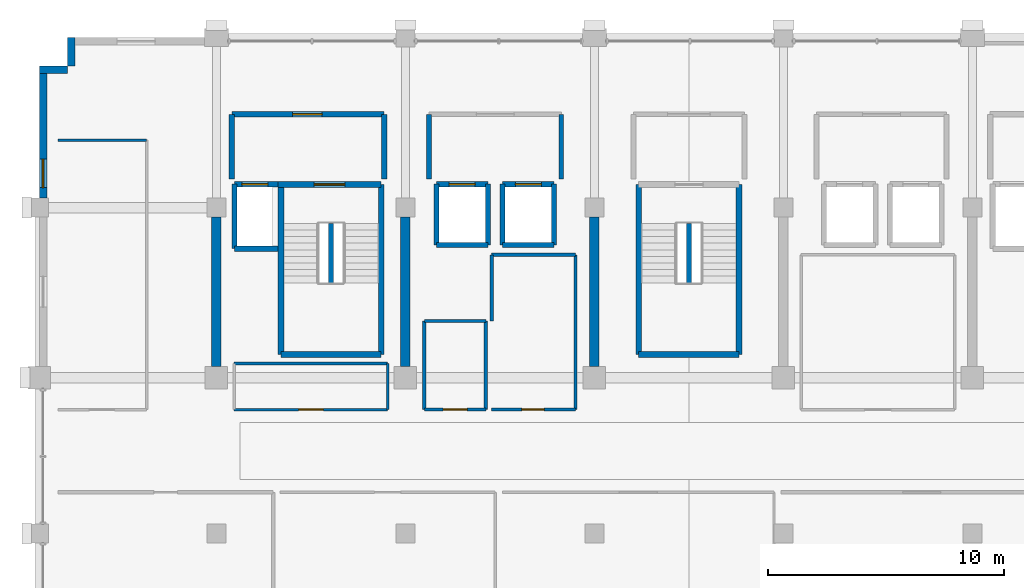
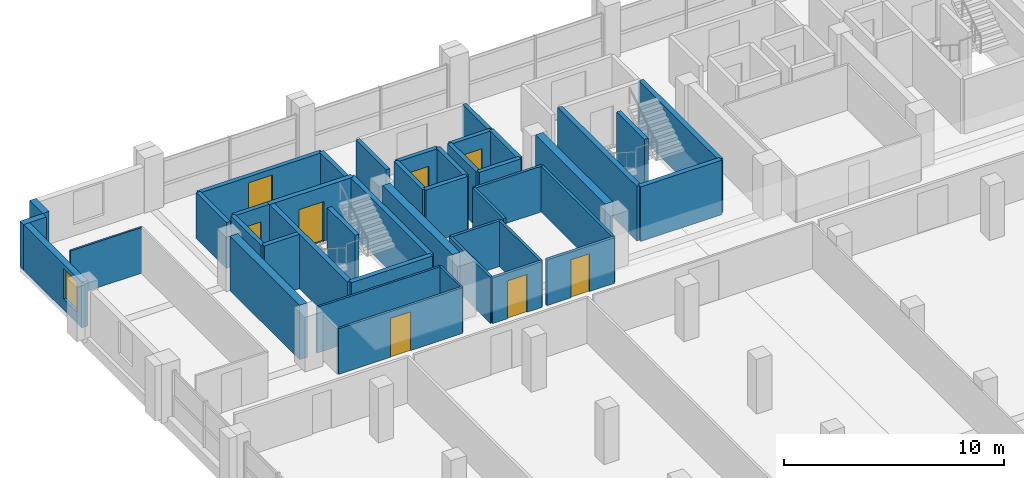
# One storey, part 20 of 23: 43 walls, 8 doors, 1 window, 9 openings.
"""IFC4 building model written with IfcOpenShell, lengths in metres."""

from ifc_helpers import new_model, si_unit, direction, frame, frame_2d, origin, place, context, subcontext, project, spatial, rectangle, extrude, material, layer, layer_set, type_object, element, fill, save


model = new_model("IFC4")

# Units and contexts
model_context = context("Model", 3, precision=1e-05, world=origin(), true_north=direction((0.0, 1.0)))
body_context = subcontext(model_context, "Body", "Model", "MODEL_VIEW")
ifc_project = project(units=[si_unit("LENGTHUNIT", "METRE"), si_unit("AREAUNIT", "SQUARE_METRE"), si_unit("VOLUMEUNIT", "CUBIC_METRE"), si_unit("PLANEANGLEUNIT", "RADIAN"), si_unit("MASSUNIT", "GRAM", prefix="KILO")], contexts=[model_context])

# Site, building, storey
site_placement = place(None, origin())
site = spatial("IfcSite", under=ifc_project, at=site_placement, CompositionType="ELEMENT")
building_placement = place(site_placement, origin())
building = spatial("IfcBuilding", under=site, at=building_placement, Name="Akrevak Sports Hall", CompositionType="ELEMENT")
storey_placement = place(building_placement, frame((0.0, 0.0, 43.800048828125)))
storey = spatial("IfcBuildingStorey", under=building, at=storey_placement, Name="L10", CompositionType="ELEMENT", Elevation=43.800048828125)

# Walls
ifc_material_1 = material(Name="Limestone Ashlar", Category="stone")
ifc_layer_1 = layer(ifc_material_1, 0.070068359375, Name="Limestone Ashlar")
ifc_material_2 = material(Name="Mineral Wool Thermal Insulation", Category="insulation")
ifc_layer_2 = layer(ifc_material_2, 0.090087890625, Name="Mineral Wool Thermal Insulation")
ifc_material_3 = material(Name="Concrete C40/50", Category="concrete")
ifc_layer_3 = layer(ifc_material_3, 0.159912109375, Name="Concrete C40/50")
ifc_layer_set_1 = layer_set([ifc_layer_1, ifc_layer_2, ifc_layer_3], Name="Limestone Ashlar / Mineral Wool Thermal Insulation / Concrete C40/50")
wall_type_1 = type_object("IfcWallType", Name="ARC-WL-EXT-320", PredefinedType="SOLIDWALL", material=ifc_layer_set_1)
wall_1_placement = place(storey_placement, frame((53.860107421875, 69.60009765625, 0.0), z_axis=(0.0, 0.0, 1.0), x_axis=(0.0, -1.0, 0.0)))
element("IfcWall", 1, at=wall_1_placement, inside=storey, type_object=wall_type_1, Name="Tower Stone Facade Wall L10-W26", PredefinedType="SOLIDWALL", context=body_context, shape_type="SweptSolid", body=[
    extrude(rectangle(XDim=1.2001953125, YDim=0.320068359375, at=frame_2d((0.60009765625, 0.0))), origin(), (0.0, 0.0, 1.0), 2.530029296875),
])
wall_2_placement = place(storey_placement, frame((53.699951171875, 68.239990234375, 0.0), z_axis=(0.0, 0.0, 1.0), x_axis=(-1.0, 0.0, 0.0)))
element("IfcWall", 2, at=wall_2_placement, inside=storey, type_object=wall_type_1, Name="Tower Stone Facade Wall L10-N27", PredefinedType="SOLIDWALL", context=body_context, shape_type="SweptSolid", body=[
    extrude(rectangle(XDim=1.199951171875, YDim=0.320068359375, at=frame_2d((0.60009765625, 0.0))), origin(), (0.0, 0.0, 1.0), 2.530029296875),
])

# Wall, opening, window
wall_3_placement = place(storey_placement, frame((52.659912109375, 68.39990234375, 0.0), z_axis=(0.0, 0.0, 1.0), x_axis=(0.0, -1.0, 0.0)))
wall_3 = element("IfcWall", 3, at=wall_3_placement, inside=storey, type_object=wall_type_1, Name="Tower Stone Facade Wall L10-W28", PredefinedType="SOLIDWALL", context=body_context, shape_type="SweptSolid", body=[
    extrude(rectangle(XDim=5.599853515625, YDim=0.320068359375, at=frame_2d((2.7998046875, 0.0))), origin(), (0.0, 0.0, 1.0), 2.530029296875),
])
opening_1_placement = place(wall_3_placement, frame((3.949951171875, 0.0, 0.6201171875)))
opening_1 = element("IfcOpeningElement", 4, at=opening_1_placement, cuts=wall_3, Name="Opening WN-45", PredefinedType="OPENING", context=body_context, shape_type="SweptSolid", body=[
    extrude(rectangle(XDim=1.199951171875, YDim=1.64990234375, at=frame_2d((0.60009765625, 0.824951171875))), frame((0.0, 0.171875, 0.0), z_axis=(0.0, -1.0, 0.0), x_axis=(1.0, 0.0, 0.0)), (0.0, 0.0, 1.0), 0.343994140625),
])
ifc_material_4 = material(Name="Thermally Broken Bronze Frame & Double Low-E Glass", Category="glass")
window_type = type_object("IfcWindowType", Name="ARC-WIN-SZ-1200x1650", PartitioningType="SINGLE_PANEL", PredefinedType="WINDOW", material=ifc_material_4)
window_placement = place(opening_1_placement, origin())
window = element("IfcWindow", 5, at=window_placement, inside=storey, type_object=window_type, Name="Tower Window L10-W28", OverallHeight=1.64990234375, OverallWidth=1.199951171875, PartitioningType="SINGLE_PANEL", PredefinedType="WINDOW", context=body_context, shape_type="SweptSolid", body=[
    extrude(rectangle(XDim=1.199951171875, YDim=1.64990234375, at=frame_2d((0.60009765625, 0.824951171875))), frame((0.0, 0.030029296875, 0.0), z_axis=(0.0, -1.0, 0.0), x_axis=(1.0, 0.0, 0.0)), (0.0, 0.0, 1.0), 0.06005859375),
])
fill(opening_1, window)

# Wall
ifc_material_5 = material(Name="Sanitary Cubicle Partition", Category="gypsum")
ifc_layer_4 = layer(ifc_material_5, 0.10009765625, Name="Sanitary Cubicle Partition")
ifc_layer_set_2 = layer_set([ifc_layer_4], Name="Sanitary Cubicle Partition")
wall_type_2 = type_object("IfcWallType", Name="ARC-WL-PRT-100", PredefinedType="PARTITIONING", material=ifc_layer_set_2)
wall_4_placement = place(storey_placement, frame((53.300048828125, 65.25, 0.0), z_axis=(0.0, 0.0, 1.0), x_axis=(1.0, 0.0, 0.0)))
element("IfcWall", 6, at=wall_4_placement, inside=storey, type_object=wall_type_2, Name="Interior Partition Federation Research Office L10-W1 (N)", PredefinedType="PARTITIONING", context=body_context, shape_type="SweptSolid", body=[
    extrude(rectangle(XDim=3.75, YDim=0.10009765625, at=frame_2d((1.875, 0.0))), origin(), (0.0, 0.0, 1.0), 2.530029296875),
])

# Wall, opening, door
ifc_material_6 = material(Name="Lightweight Office Partition", Category="gypsum")
ifc_layer_5 = layer(ifc_material_6, 0.110107421875, Name="Lightweight Office Partition")
ifc_layer_set_3 = layer_set([ifc_layer_5], Name="Lightweight Office Partition")
wall_type_3 = type_object("IfcWallType", Name="ARC-WL-PRT-110", PredefinedType="PARTITIONING", material=ifc_layer_set_3)
wall_5_placement = place(storey_placement, frame((60.75, 53.85009765625, 0.0), z_axis=(0.0, 0.0, 1.0), x_axis=(1.0, 0.0, 0.0)))
wall_5 = element("IfcWall", 7, at=wall_5_placement, inside=storey, type_object=wall_type_3, Name="Interior Partition Federation Technical Office L10-CW (S)", PredefinedType="PARTITIONING", context=body_context, shape_type="SweptSolid", body=[
    extrude(rectangle(XDim=6.5, YDim=0.110107421875, at=frame_2d((3.25, 0.0))), origin(), (0.0, 0.0, 1.0), 2.530029296875),
])
opening_2_placement = place(wall_5_placement, frame((2.72509765625, 0.0, 0.0)))
opening_2 = element("IfcOpeningElement", 8, at=opening_2_placement, cuts=wall_5, Name="Opening ID-05", PredefinedType="OPENING", context=body_context, shape_type="SweptSolid", body=[
    extrude(rectangle(XDim=1.050048828125, YDim=2.14990234375, at=frame_2d((0.52490234375, 1.074951171875))), frame((0.0, 0.06689453125, 0.0), z_axis=(0.0, -1.0, 0.0), x_axis=(1.0, 0.0, 0.0)), (0.0, 0.0, 1.0), 0.134033203125),
])
ifc_material_7 = material(Name="Hardwood Oak Acoustic Leaf", Category="wood")
door_type_1 = type_object("IfcDoorType", Name="ARC-DR-OFF-105x215", OperationType="NOTDEFINED", PredefinedType="DOOR", material=ifc_material_7)
door_1_placement = place(opening_2_placement, origin())
door_1 = element("IfcDoor", 9, at=door_1_placement, inside=storey, type_object=door_type_1, Name="Door to Federation Technical Office L10-CW", OperationType="SINGLE_SWING_LEFT", OverallHeight=2.14990234375, OverallWidth=1.050048828125, PredefinedType="DOOR", context=body_context, shape_type="SweptSolid", body=[
    extrude(rectangle(XDim=1.050048828125, YDim=2.14990234375, at=frame_2d((0.52490234375, 1.074951171875))), frame((0.0, 0.02490234375, 0.0), z_axis=(0.0, -1.0, 0.0), x_axis=(1.0, 0.0, 0.0)), (0.0, 0.0, 1.0), 0.050048828125),
])
fill(opening_2, door_1)

# Walls
wall_6_placement = place(storey_placement, frame((60.75, 55.800048828125, 0.0), z_axis=(0.0, 0.0, 1.0), x_axis=(1.0, 0.0, 0.0)))
element("IfcWall", 10, at=wall_6_placement, inside=storey, type_object=wall_type_3, Name="Interior Partition Federation Technical Office L10-CW (N)", PredefinedType="PARTITIONING", context=body_context, shape_type="SweptSolid", body=[
    extrude(rectangle(XDim=6.5, YDim=0.110107421875, at=frame_2d((3.25, 0.0))), origin(), (0.0, 0.0, 1.0), 2.530029296875),
])
wall_7_placement = place(storey_placement, frame((67.25, 53.85009765625, 0.0), z_axis=(0.0, 0.0, 1.0), x_axis=(0.0, 1.0, 0.0)))
element("IfcWall", 11, at=wall_7_placement, inside=storey, type_object=wall_type_3, Name="Interior Partition Federation Technical Office L10-CW (E)", PredefinedType="PARTITIONING", context=body_context, shape_type="SweptSolid", body=[
    extrude(rectangle(XDim=1.949951171875, YDim=0.110107421875, at=frame_2d((0.97509765625, 0.0))), origin(), (0.0, 0.0, 1.0), 2.530029296875),
])

# Wall, opening, door
ifc_material_8 = material(Name="Moisture-Resistant Wet-Area Partition", Category="gypsum")
ifc_layer_6 = layer(ifc_material_8, 0.139892578125, Name="Moisture-Resistant Wet-Area Partition")
ifc_layer_set_4 = layer_set([ifc_layer_6], Name="Moisture-Resistant Wet-Area Partition")
wall_type_4 = type_object("IfcWallType", Name="ARC-WL-PRT-140", PredefinedType="PARTITIONING", material=ifc_layer_set_4)
wall_8_placement = place(storey_placement, frame((68.800048828125, 53.85009765625, 0.0), z_axis=(0.0, 0.0, 1.0), x_axis=(1.0, 0.0, 0.0)))
wall_8 = element("IfcWall", 12, at=wall_8_placement, inside=storey, type_object=wall_type_4, Name="Interior Partition Accessible WC L10 (S)", PredefinedType="PARTITIONING", context=body_context, shape_type="SweptSolid", body=[
    extrude(rectangle(XDim=2.599853515625, YDim=0.139892578125, at=frame_2d((1.2998046875, 0.0))), origin(), (0.0, 0.0, 1.0), 2.530029296875),
])
opening_3_placement = place(wall_8_placement, frame((0.7900390625, 0.0, 0.0)))
opening_3 = element("IfcOpeningElement", 13, at=opening_3_placement, cuts=wall_8, Name="Opening ID-09", PredefinedType="OPENING", context=body_context, shape_type="SweptSolid", body=[
    extrude(rectangle(XDim=1.02001953125, YDim=2.10009765625, at=frame_2d((0.510009765625, 1.050048828125))), frame((0.0, 0.08203125, 0.0), z_axis=(0.0, -1.0, 0.0), x_axis=(1.0, 0.0, 0.0)), (0.0, 0.0, 1.0), 0.163818359375),
])
ifc_material_9 = material(Name="High-Pressure Laminate & Aluminium", Category="aluminium")
door_type_2 = type_object("IfcDoorType", Name="ARC-DR-AWC-102x210", OperationType="NOTDEFINED", PredefinedType="DOOR", material=ifc_material_9)
door_2_placement = place(opening_3_placement, frame((1.02001953125, 0.0, 0.0), z_axis=(0.0, 0.0, 1.0), x_axis=(-1.0, 0.0, 0.0)))
door_2 = element("IfcDoor", 14, at=door_2_placement, inside=storey, type_object=door_type_2, Name="Door to Accessible WC L10", OperationType="SINGLE_SWING_RIGHT", OverallHeight=2.10009765625, OverallWidth=1.02001953125, PredefinedType="DOOR", context=body_context, shape_type="SweptSolid", body=[
    extrude(rectangle(XDim=1.02001953125, YDim=2.10009765625, at=frame_2d((0.510009765625, 1.050048828125))), frame((0.0, 0.02490234375, 0.0), z_axis=(0.0, -1.0, 0.0), x_axis=(1.0, 0.0, 0.0)), (0.0, 0.0, 1.0), 0.050048828125),
])
fill(opening_3, door_2)

# Walls
wall_9_placement = place(storey_placement, frame((68.800048828125, 57.60009765625, 0.0), z_axis=(0.0, 0.0, 1.0), x_axis=(1.0, 0.0, 0.0)))
element("IfcWall", 15, at=wall_9_placement, inside=storey, type_object=wall_type_4, Name="Interior Partition Accessible WC L10 (N)", PredefinedType="PARTITIONING", context=body_context, shape_type="SweptSolid", body=[
    extrude(rectangle(XDim=2.599853515625, YDim=0.139892578125, at=frame_2d((1.2998046875, 0.0))), origin(), (0.0, 0.0, 1.0), 2.530029296875),
])
for number, where, z_axis, x_axis, name in (
    (16, (68.800048828125, 53.85009765625, 0.0), (0.0, 0.0, 1.0), (0.0, 1.0, 0.0), "Interior Partition Accessible WC L10 (W)"),
    (17, (71.39990234375, 53.85009765625, 0.0), (0.0, 0.0, 1.0), (0.0, 1.0, 0.0), "Interior Partition Accessible WC L10 (E)"),
):
    element("IfcWall", number, at=place(storey_placement, frame(where, z_axis=z_axis, x_axis=x_axis)), inside=storey, type_object=wall_type_4, Name=name, PredefinedType="PARTITIONING", context=body_context, shape_type="SweptSolid", body=[
        extrude(rectangle(XDim=3.75, YDim=0.139892578125, at=frame_2d((1.875, 0.0))), origin(), (0.0, 0.0, 1.0), 2.530029296875),
    ])

# Wall, opening, door
wall_10_placement = place(storey_placement, frame((71.64990234375, 53.85009765625, 0.0), z_axis=(0.0, 0.0, 1.0), x_axis=(1.0, 0.0, 0.0)))
wall_10 = element("IfcWall", 18, at=wall_10_placement, inside=storey, type_object=wall_type_4, Name="Interior Partition Athletic Recovery Shower & WC L10 (S)", PredefinedType="PARTITIONING", context=body_context, shape_type="SweptSolid", body=[
    extrude(rectangle(XDim=3.550048828125, YDim=0.139892578125, at=frame_2d((1.77490234375, 0.0))), origin(), (0.0, 0.0, 1.0), 2.530029296875),
])
opening_4_placement = place(wall_10_placement, frame((1.27490234375, 0.0, 0.0)))
opening_4 = element("IfcOpeningElement", 19, at=opening_4_placement, cuts=wall_10, Name="Opening ID-08", PredefinedType="OPENING", context=body_context, shape_type="SweptSolid", body=[
    extrude(rectangle(XDim=0.949951171875, YDim=2.10009765625, at=frame_2d((0.47509765625, 1.050048828125))), frame((0.0, 0.08203125, 0.0), z_axis=(0.0, -1.0, 0.0), x_axis=(1.0, 0.0, 0.0)), (0.0, 0.0, 1.0), 0.163818359375),
])
door_type_3 = type_object("IfcDoorType", Name="ARC-DR-WC-095x210", OperationType="NOTDEFINED", PredefinedType="DOOR", material=ifc_material_9)
door_3_placement = place(opening_4_placement, origin())
door_3 = element("IfcDoor", 20, at=door_3_placement, inside=storey, type_object=door_type_3, Name="Door to Athletic Recovery Shower & WC L10", OperationType="SINGLE_SWING_LEFT", OverallHeight=2.10009765625, OverallWidth=0.949951171875, PredefinedType="DOOR", context=body_context, shape_type="SweptSolid", body=[
    extrude(rectangle(XDim=0.949951171875, YDim=2.10009765625, at=frame_2d((0.47509765625, 1.050048828125))), frame((0.0, 0.02490234375, 0.0), z_axis=(0.0, -1.0, 0.0), x_axis=(1.0, 0.0, 0.0)), (0.0, 0.0, 1.0), 0.050048828125),
])
fill(opening_4, door_3)

# Walls
wall_11_placement = place(storey_placement, frame((71.64990234375, 60.39990234375, 0.0), z_axis=(0.0, 0.0, 1.0), x_axis=(1.0, 0.0, 0.0)))
element("IfcWall", 21, at=wall_11_placement, inside=storey, type_object=wall_type_4, Name="Interior Partition Athletic Recovery Shower & WC L10 (N)", PredefinedType="PARTITIONING", context=body_context, shape_type="SweptSolid", body=[
    extrude(rectangle(XDim=3.550048828125, YDim=0.139892578125, at=frame_2d((1.77490234375, 0.0))), origin(), (0.0, 0.0, 1.0), 2.530029296875),
])
wall_12_placement = place(storey_placement, frame((71.64990234375, 57.60009765625, 0.0), z_axis=(0.0, 0.0, 1.0), x_axis=(0.0, 1.0, 0.0)))
element("IfcWall", 22, at=wall_12_placement, inside=storey, type_object=wall_type_4, Name="Interior Partition Athletic Recovery Shower & WC L10 (W)", PredefinedType="PARTITIONING", context=body_context, shape_type="SweptSolid", body=[
    extrude(rectangle(XDim=2.7998046875, YDim=0.139892578125, at=frame_2d((1.39990234375, 0.0))), origin(), (0.0, 0.0, 1.0), 2.530029296875),
])
wall_13_placement = place(storey_placement, frame((75.199951171875, 53.85009765625, 0.0), z_axis=(0.0, 0.0, 1.0), x_axis=(0.0, 1.0, 0.0)))
element("IfcWall", 23, at=wall_13_placement, inside=storey, type_object=wall_type_4, Name="Interior Partition Athletic Recovery Shower & WC L10 (E)", PredefinedType="PARTITIONING", context=body_context, shape_type="SweptSolid", body=[
    extrude(rectangle(XDim=6.5498046875, YDim=0.139892578125, at=frame_2d((3.27490234375, 0.0))), origin(), (0.0, 0.0, 1.0), 2.530029296875),
])
ifc_material_10 = material(Name="Autoclaved Aerated Masonry Block", Category="masonry")
ifc_layer_7 = layer(ifc_material_10, 0.199951171875, Name="Autoclaved Aerated Masonry Block")
ifc_layer_set_5 = layer_set([ifc_layer_7], Name="Autoclaved Aerated Masonry Block")
wall_type_5 = type_object("IfcWallType", Name="ARC-WL-PRT-200", PredefinedType="PARTITIONING", material=ifc_layer_set_5)
for number, where, z_axis, x_axis, name in (
    (24, (69.0, 63.60009765625, 0.0), (0.0, 0.0, 1.0), (0.0, 1.0, 0.0), "Interior Partition West Passenger Lift Lobby L10 (W)"),
    (25, (74.60009765625, 63.60009765625, 0.0), (0.0, 0.0, 1.0), (0.0, 1.0, 0.0), "Interior Partition West Passenger Lift Lobby L10 (E)"),
):
    element("IfcWall", number, at=place(storey_placement, frame(where, z_axis=z_axis, x_axis=x_axis)), inside=storey, type_object=wall_type_5, Name=name, PredefinedType="PARTITIONING", context=body_context, shape_type="SweptSolid", body=[
        extrude(rectangle(XDim=2.75, YDim=0.199951171875, at=frame_2d((1.375, 0.0))), origin(), (0.0, 0.0, 1.0), 2.530029296875),
    ])
ifc_layer_8 = layer(ifc_material_3, 0.219970703125, Name="Concrete C40/50")
ifc_layer_set_6 = layer_set([ifc_layer_8], Name="Concrete C40/50")
wall_type_6 = type_object("IfcWallType", Name="ARC-WL-PRT-220", PredefinedType="PARTITIONING", material=ifc_layer_set_6)
for number, where, z_axis, x_axis, name in (
    (26, (64.85009765625, 59.215087890625, 0.0), (0.0, 0.0, 1.0), (0.0, 1.0, 0.0), "Stair ST1 Central Spine Wall (L10)"),
    (27, (80.0, 59.215087890625, 0.0), (0.0, 0.0, 1.0), (0.0, 1.0, 0.0), "Stair ST3 Central Spine Wall (L10)"),
):
    element("IfcWall", number, at=place(storey_placement, frame(where, z_axis=z_axis, x_axis=x_axis)), inside=storey, type_object=wall_type_6, Name=name, PredefinedType="PARTITIONING", context=body_context, shape_type="SweptSolid", body=[
        extrude(rectangle(XDim=2.52001953125, YDim=0.219970703125, at=frame_2d((1.260009765625, 0.0))), origin(), (0.0, 0.0, 1.0), 3.02001953125),
    ])

# Wall, opening, door
wall_14_placement = place(storey_placement, frame((60.64990234375, 66.35009765625, 0.0), z_axis=(0.0, 0.0, 1.0), x_axis=(1.0, 0.0, 0.0)))
wall_14 = element("IfcWall", 28, at=wall_14_placement, inside=storey, type_object=wall_type_6, Name="Interior Partition Firefighting Lobby West L10 (N)", PredefinedType="PARTITIONING", context=body_context, shape_type="SweptSolid", body=[
    extrude(rectangle(XDim=6.4501953125, YDim=0.219970703125, at=frame_2d((3.22509765625, 0.0))), origin(), (0.0, 0.0, 1.0), 2.530029296875),
])
opening_5_placement = place(wall_14_placement, frame((2.574951171875, 0.0, 0.0)))
opening_5 = element("IfcOpeningElement", 29, at=opening_5_placement, cuts=wall_14, Name="Opening FD-01", PredefinedType="OPENING", context=body_context, shape_type="SweptSolid", body=[
    extrude(rectangle(XDim=1.25, YDim=2.199951171875, at=frame_2d((0.625, 1.10009765625))), frame((0.0, 0.1220703125, 0.0), z_axis=(0.0, -1.0, 0.0), x_axis=(1.0, 0.0, 0.0)), (0.0, 0.0, 1.0), 0.243896484375),
])
ifc_material_11 = material(Name="Fire-Rated Galvanized Door Steel", Category="steel")
door_type_4 = type_object("IfcDoorType", Name="ARC-DR-FFL-125x220", OperationType="NOTDEFINED", PredefinedType="DOOR", material=ifc_material_11)
door_4_placement = place(opening_5_placement, frame((1.25, 0.0, 0.0), z_axis=(0.0, 0.0, 1.0), x_axis=(-1.0, 0.0, 0.0)))
door_4 = element("IfcDoor", 30, at=door_4_placement, inside=storey, type_object=door_type_4, Name="Door to Firefighting Lobby West L10", OperationType="SINGLE_SWING_RIGHT", OverallHeight=2.199951171875, OverallWidth=1.25, PredefinedType="DOOR", context=body_context, shape_type="SweptSolid", body=[
    extrude(rectangle(XDim=1.25, YDim=2.199951171875, at=frame_2d((0.625, 1.10009765625))), frame((0.0, 0.02490234375, 0.0), z_axis=(0.0, -1.0, 0.0), x_axis=(1.0, 0.0, 0.0)), (0.0, 0.0, 1.0), 0.050048828125),
])
fill(opening_5, door_4)

# Walls
for number, where, z_axis, x_axis, name in (
    (31, (60.64990234375, 63.60009765625, 0.0), (0.0, 0.0, 1.0), (0.0, 1.0, 0.0), "Interior Partition Firefighting Lobby West L10 (W)"),
    (32, (67.10009765625, 63.60009765625, 0.0), (0.0, 0.0, 1.0), (0.0, 1.0, 0.0), "Interior Partition Firefighting Lobby West L10 (E)"),
):
    element("IfcWall", number, at=place(storey_placement, frame(where, z_axis=z_axis, x_axis=x_axis)), inside=storey, type_object=wall_type_6, Name=name, PredefinedType="PARTITIONING", context=body_context, shape_type="SweptSolid", body=[
        extrude(rectangle(XDim=2.75, YDim=0.219970703125, at=frame_2d((1.375, 0.0))), origin(), (0.0, 0.0, 1.0), 2.530029296875),
    ])
ifc_material_12 = material(Name="Concrete C50/60", Category="concrete")
ifc_layer_9 = layer(ifc_material_12, 0.219970703125, Name="Concrete C50/60")
ifc_layer_set_7 = layer_set([ifc_layer_9], Name="Concrete C50/60")
wall_type_7 = type_object("IfcWallType", Name="ARC-WL-SHAFT-220", PredefinedType="SHEAR", material=ifc_layer_set_7)
wall_15_placement = place(storey_placement, frame((60.760009765625, 60.659912109375, 0.0), z_axis=(0.0, 0.0, 1.0), x_axis=(1.0, 0.0, 0.0)))
element("IfcWall", 33, at=wall_15_placement, inside=storey, type_object=wall_type_7, Name="Lift Shaft LF-FF1 Wall S (L10)", PredefinedType="SHEAR", context=body_context, shape_type="SweptSolid", body=[
    extrude(rectangle(XDim=1.840087890625, YDim=0.219970703125, at=frame_2d((0.919921875, 0.0))), origin(), (0.0, 0.0, 1.0), 3.02001953125),
])

# Wall, opening, door
wall_16_placement = place(storey_placement, frame((62.60009765625, 63.389892578125, 0.0), z_axis=(0.0, 0.0, 1.0), x_axis=(-1.0, 0.0, 0.0)))
wall_16 = element("IfcWall", 34, at=wall_16_placement, inside=storey, type_object=wall_type_7, Name="Lift Shaft LF-FF1 Wall N (L10)", PredefinedType="SHEAR", context=body_context, shape_type="SweptSolid", body=[
    extrude(rectangle(XDim=1.840087890625, YDim=0.219970703125, at=frame_2d((0.919921875, 0.0))), origin(), (0.0, 0.0, 1.0), 3.02001953125),
])
opening_6_placement = place(wall_16_placement, frame((0.425048828125, 0.0, 0.0)))
opening_6 = element("IfcOpeningElement", 35, at=opening_6_placement, cuts=wall_16, Name="Opening LD-01", PredefinedType="OPENING", context=body_context, shape_type="SweptSolid", body=[
    extrude(rectangle(XDim=1.10009765625, YDim=2.199951171875, at=frame_2d((0.550048828125, 1.10009765625))), frame((0.0, 0.1220703125, 0.0), z_axis=(0.0, -1.0, 0.0), x_axis=(1.0, 0.0, 0.0)), (0.0, 0.0, 1.0), 0.243896484375),
])
ifc_material_13 = material(Name="Brushed Stainless Steel 304", Category="steel")
door_type_5 = type_object("IfcDoorType", Name="ARC-DR-LD-110x220", OperationType="SLIDING_TO_LEFT", PredefinedType="DOOR", material=ifc_material_13)
door_5_placement = place(opening_6_placement, origin())
door_5 = element("IfcDoor", 36, at=door_5_placement, inside=storey, type_object=door_type_5, Name="Lift LF-FF1 Sliding Landing Door (L10)", OperationType="SLIDING_TO_LEFT", OverallHeight=2.199951171875, OverallWidth=1.10009765625, PredefinedType="DOOR", context=body_context, shape_type="SweptSolid", body=[
    extrude(rectangle(XDim=1.10009765625, YDim=2.199951171875, at=frame_2d((0.550048828125, 1.10009765625))), frame((0.0, 0.02490234375, 0.0), z_axis=(0.0, -1.0, 0.0), x_axis=(1.0, 0.0, 0.0)), (0.0, 0.0, 1.0), 0.050048828125),
])
fill(opening_6, door_5)

# Walls
wall_17_placement = place(storey_placement, frame((60.760009765625, 63.389892578125, 0.0), z_axis=(0.0, 0.0, 1.0), x_axis=(0.0, -1.0, 0.0)))
element("IfcWall", 37, at=wall_17_placement, inside=storey, type_object=wall_type_7, Name="Lift Shaft LF-FF1 Wall W (L10)", PredefinedType="SHEAR", context=body_context, shape_type="SweptSolid", body=[
    extrude(rectangle(XDim=2.72998046875, YDim=0.219970703125, at=frame_2d((1.364990234375, 0.0))), origin(), (0.0, 0.0, 1.0), 3.02001953125),
])
wall_18_placement = place(storey_placement, frame((69.31005859375, 60.81005859375, 0.0), z_axis=(0.0, 0.0, 1.0), x_axis=(1.0, 0.0, 0.0)))
element("IfcWall", 38, at=wall_18_placement, inside=storey, type_object=wall_type_7, Name="Lift Shaft LF-P1 Wall S (L10)", PredefinedType="SHEAR", context=body_context, shape_type="SweptSolid", body=[
    extrude(rectangle(XDim=2.179931640625, YDim=0.219970703125, at=frame_2d((1.08984375, 0.0))), origin(), (0.0, 0.0, 1.0), 3.02001953125),
])

# Wall, opening, door
wall_19_placement = place(storey_placement, frame((71.489990234375, 63.389892578125, 0.0), z_axis=(0.0, 0.0, 1.0), x_axis=(-1.0, 0.0, 0.0)))
wall_19 = element("IfcWall", 39, at=wall_19_placement, inside=storey, type_object=wall_type_7, Name="Lift Shaft LF-P1 Wall N (L10)", PredefinedType="SHEAR", context=body_context, shape_type="SweptSolid", body=[
    extrude(rectangle(XDim=2.179931640625, YDim=0.219970703125, at=frame_2d((1.08984375, 0.0))), origin(), (0.0, 0.0, 1.0), 3.02001953125),
])
opening_7_placement = place(wall_19_placement, frame((0.5400390625, 0.0, 0.0)))
opening_7 = element("IfcOpeningElement", 40, at=opening_7_placement, cuts=wall_19, Name="Opening LD-01", PredefinedType="OPENING", context=body_context, shape_type="SweptSolid", body=[
    extrude(rectangle(XDim=1.10009765625, YDim=2.199951171875, at=frame_2d((0.550048828125, 1.10009765625))), frame((0.0, 0.1220703125, 0.0), z_axis=(0.0, -1.0, 0.0), x_axis=(1.0, 0.0, 0.0)), (0.0, 0.0, 1.0), 0.243896484375),
])
door_6_placement = place(opening_7_placement, origin())
door_6 = element("IfcDoor", 41, at=door_6_placement, inside=storey, type_object=door_type_5, Name="Lift LF-P1 Sliding Landing Door (L10)", OperationType="SLIDING_TO_LEFT", OverallHeight=2.199951171875, OverallWidth=1.10009765625, PredefinedType="DOOR", context=body_context, shape_type="SweptSolid", body=[
    extrude(rectangle(XDim=1.10009765625, YDim=2.199951171875, at=frame_2d((0.550048828125, 1.10009765625))), frame((0.0, 0.02490234375, 0.0), z_axis=(0.0, -1.0, 0.0), x_axis=(1.0, 0.0, 0.0)), (0.0, 0.0, 1.0), 0.050048828125),
])
fill(opening_7, door_6)

# Walls
for number, where, z_axis, x_axis, name in (
    (42, (69.31005859375, 63.389892578125, 0.0), (0.0, 0.0, 1.0), (0.0, -1.0, 0.0), "Lift Shaft LF-P1 Wall W (L10)"),
    (43, (71.489990234375, 60.81005859375, 0.0), (0.0, 0.0, 1.0), (0.0, 1.0, 0.0), "Lift Shaft LF-P1 Wall E (L10)"),
):
    element("IfcWall", number, at=place(storey_placement, frame(where, z_axis=z_axis, x_axis=x_axis)), inside=storey, type_object=wall_type_7, Name=name, PredefinedType="SHEAR", context=body_context, shape_type="SweptSolid", body=[
        extrude(rectangle(XDim=2.579833984375, YDim=0.219970703125, at=frame_2d((1.2900390625, 0.0))), origin(), (0.0, 0.0, 1.0), 3.02001953125),
    ])
wall_20_placement = place(storey_placement, frame((72.110107421875, 60.81005859375, 0.0), z_axis=(0.0, 0.0, 1.0), x_axis=(1.0, 0.0, 0.0)))
element("IfcWall", 44, at=wall_20_placement, inside=storey, type_object=wall_type_7, Name="Lift Shaft LF-P2 Wall S (L10)", PredefinedType="SHEAR", context=body_context, shape_type="SweptSolid", body=[
    extrude(rectangle(XDim=2.179931640625, YDim=0.219970703125, at=frame_2d((1.08984375, 0.0))), origin(), (0.0, 0.0, 1.0), 3.02001953125),
])

# Wall, opening, door
wall_21_placement = place(storey_placement, frame((74.2900390625, 63.389892578125, 0.0), z_axis=(0.0, 0.0, 1.0), x_axis=(-1.0, 0.0, 0.0)))
wall_21 = element("IfcWall", 45, at=wall_21_placement, inside=storey, type_object=wall_type_7, Name="Lift Shaft LF-P2 Wall N (L10)", PredefinedType="SHEAR", context=body_context, shape_type="SweptSolid", body=[
    extrude(rectangle(XDim=2.179931640625, YDim=0.219970703125, at=frame_2d((1.08984375, 0.0))), origin(), (0.0, 0.0, 1.0), 3.02001953125),
])
opening_8_placement = place(wall_21_placement, frame((0.5400390625, 0.0, 0.0)))
opening_8 = element("IfcOpeningElement", 46, at=opening_8_placement, cuts=wall_21, Name="Opening LD-01", PredefinedType="OPENING", context=body_context, shape_type="SweptSolid", body=[
    extrude(rectangle(XDim=1.10009765625, YDim=2.199951171875, at=frame_2d((0.550048828125, 1.10009765625))), frame((0.0, 0.1220703125, 0.0), z_axis=(0.0, -1.0, 0.0), x_axis=(1.0, 0.0, 0.0)), (0.0, 0.0, 1.0), 0.243896484375),
])
door_7_placement = place(opening_8_placement, origin())
door_7 = element("IfcDoor", 47, at=door_7_placement, inside=storey, type_object=door_type_5, Name="Lift LF-P2 Sliding Landing Door (L10)", OperationType="SLIDING_TO_LEFT", OverallHeight=2.199951171875, OverallWidth=1.10009765625, PredefinedType="DOOR", context=body_context, shape_type="SweptSolid", body=[
    extrude(rectangle(XDim=1.10009765625, YDim=2.199951171875, at=frame_2d((0.550048828125, 1.10009765625))), frame((0.0, 0.02490234375, 0.0), z_axis=(0.0, -1.0, 0.0), x_axis=(1.0, 0.0, 0.0)), (0.0, 0.0, 1.0), 0.050048828125),
])
fill(opening_8, door_7)

# Walls
for number, where, z_axis, x_axis, name in (
    (48, (72.110107421875, 63.389892578125, 0.0), (0.0, 0.0, 1.0), (0.0, -1.0, 0.0), "Lift Shaft LF-P2 Wall W (L10)"),
    (49, (74.2900390625, 60.81005859375, 0.0), (0.0, 0.0, 1.0), (0.0, 1.0, 0.0), "Lift Shaft LF-P2 Wall E (L10)"),
):
    element("IfcWall", number, at=place(storey_placement, frame(where, z_axis=z_axis, x_axis=x_axis)), inside=storey, type_object=wall_type_7, Name=name, PredefinedType="SHEAR", context=body_context, shape_type="SweptSolid", body=[
        extrude(rectangle(XDim=2.579833984375, YDim=0.219970703125, at=frame_2d((1.2900390625, 0.0))), origin(), (0.0, 0.0, 1.0), 3.02001953125),
    ])
ifc_layer_10 = layer(ifc_material_12, 0.39990234375, Name="Concrete C50/60")
ifc_layer_set_8 = layer_set([ifc_layer_10], Name="Concrete C50/60")
wall_type_8 = type_object("IfcWallType", Name="STR-WL-CORE-400", PredefinedType="SHEAR", material=ifc_layer_set_8)
for number, where, z_axis, x_axis, name in (
    (50, (60.0, 55.675048828125, 0.0), (0.0, 0.0, 1.0), (0.0, 1.0, 0.0), "Reinforced Concrete Shear Wall SW-W2 (L10)"),
    (51, (68.0, 55.675048828125, 0.0), (0.0, 0.0, 1.0), (0.0, 1.0, 0.0), "Reinforced Concrete Shear Wall SW-C1 (L10)"),
    (52, (76.0, 55.675048828125, 0.0), (0.0, 0.0, 1.0), (0.0, 1.0, 0.0), "Reinforced Concrete Shear Wall SW-W1 (L10)"),
):
    element("IfcWall", number, at=place(storey_placement, frame(where, z_axis=z_axis, x_axis=x_axis)), inside=storey, type_object=wall_type_8, Name=name, PredefinedType="SHEAR", context=body_context, shape_type="SweptSolid", body=[
        extrude(rectangle(XDim=6.324951171875, YDim=0.39990234375, at=frame_2d((3.16259765625, 0.0))), origin(), (0.0, 0.0, 1.0), 3.02001953125),
    ])
ifc_layer_11 = layer(ifc_material_12, 0.25, Name="Concrete C50/60")
ifc_layer_set_9 = layer_set([ifc_layer_11], Name="Concrete C50/60")
wall_type_9 = type_object("IfcWallType", Name="STR-WL-STAIR-250", PredefinedType="SHEAR", material=ifc_layer_set_9)
wall_22_placement = place(storey_placement, frame((62.72509765625, 56.175048828125, 0.0), z_axis=(0.0, 0.0, 1.0), x_axis=(1.0, 0.0, 0.0)))
element("IfcWall", 53, at=wall_22_placement, inside=storey, type_object=wall_type_9, Name="Stair Core ST1 Shear Wall S (L10)", PredefinedType="SHEAR", context=body_context, shape_type="SweptSolid", body=[
    extrude(rectangle(XDim=4.25, YDim=0.25, at=frame_2d((2.125, 0.0))), origin(), (0.0, 0.0, 1.0), 3.02001953125),
])

# Wall, opening, door
wall_23_placement = place(storey_placement, frame((66.97509765625, 63.375, 0.0), z_axis=(0.0, 0.0, 1.0), x_axis=(-1.0, 0.0, 0.0)))
wall_23 = element("IfcWall", 54, at=wall_23_placement, inside=storey, type_object=wall_type_9, Name="Stair Core ST1 Shear Wall N (L10)", PredefinedType="SHEAR", context=body_context, shape_type="SweptSolid", body=[
    extrude(rectangle(XDim=4.375, YDim=0.25, at=frame_2d((2.1875, 0.0))), origin(), (0.0, 0.0, 1.0), 3.02001953125),
])
opening_9_placement = place(wall_23_placement, frame((1.53759765625, 0.0, 0.0)))
opening_9 = element("IfcOpeningElement", 55, at=opening_9_placement, cuts=wall_23, Name="Opening SD-01", PredefinedType="OPENING", context=body_context, shape_type="SweptSolid", body=[
    extrude(rectangle(XDim=1.300048828125, YDim=2.199951171875, at=frame_2d((0.64990234375, 1.10009765625))), frame((0.0, 0.136962890625, 0.0), z_axis=(0.0, -1.0, 0.0), x_axis=(1.0, 0.0, 0.0)), (0.0, 0.0, 1.0), 0.27392578125),
])
door_type_6 = type_object("IfcDoorType", Name="ARC-DR-STAIR-130x220", OperationType="NOTDEFINED", PredefinedType="DOOR", material=ifc_material_11)
door_8_placement = place(opening_9_placement, origin())
door_8 = element("IfcDoor", 56, at=door_8_placement, inside=storey, type_object=door_type_6, Name="Exit Stair ST1 Door (L10)", OperationType="SINGLE_SWING_RIGHT", OverallHeight=2.199951171875, OverallWidth=1.300048828125, PredefinedType="DOOR", context=body_context, shape_type="SweptSolid", body=[
    extrude(rectangle(XDim=1.300048828125, YDim=2.199951171875, at=frame_2d((0.64990234375, 1.10009765625))), frame((0.0, 0.02490234375, 0.0), z_axis=(0.0, -1.0, 0.0), x_axis=(1.0, 0.0, 0.0)), (0.0, 0.0, 1.0), 0.050048828125),
])
fill(opening_9, door_8)

# Walls
wall_24_placement = place(storey_placement, frame((62.72509765625, 63.25, 0.0), z_axis=(0.0, 0.0, 1.0), x_axis=(0.0, -1.0, 0.0)))
element("IfcWall", 57, at=wall_24_placement, inside=storey, type_object=wall_type_9, Name="Stair Core ST1 Shear Wall W (L10)", PredefinedType="SHEAR", context=body_context, shape_type="SweptSolid", body=[
    extrude(rectangle(XDim=7.074951171875, YDim=0.25, at=frame_2d((3.53759765625, 0.0))), origin(), (0.0, 0.0, 1.0), 3.02001953125),
])
wall_25_placement = place(storey_placement, frame((66.97509765625, 56.175048828125, 0.0), z_axis=(0.0, 0.0, 1.0), x_axis=(0.0, 1.0, 0.0)))
element("IfcWall", 58, at=wall_25_placement, inside=storey, type_object=wall_type_9, Name="Stair Core ST1 Shear Wall E (L10)", PredefinedType="SHEAR", context=body_context, shape_type="SweptSolid", body=[
    extrude(rectangle(XDim=7.199951171875, YDim=0.25, at=frame_2d((3.60009765625, 0.0))), origin(), (0.0, 0.0, 1.0), 3.02001953125),
])
wall_26_placement = place(storey_placement, frame((77.875, 56.175048828125, 0.0), z_axis=(0.0, 0.0, 1.0), x_axis=(1.0, 0.0, 0.0)))
element("IfcWall", 59, at=wall_26_placement, inside=storey, type_object=wall_type_9, Name="Stair Core ST3 Shear Wall S (L10)", PredefinedType="SHEAR", context=body_context, shape_type="SweptSolid", body=[
    extrude(rectangle(XDim=4.25, YDim=0.25, at=frame_2d((2.125, 0.0))), origin(), (0.0, 0.0, 1.0), 3.02001953125),
])
for number, where, z_axis, x_axis, name in (
    (60, (77.875, 63.375, 0.0), (0.0, 0.0, 1.0), (0.0, -1.0, 0.0), "Stair Core ST3 Shear Wall W (L10)"),
    (61, (82.125, 56.175048828125, 0.0), (0.0, 0.0, 1.0), (0.0, 1.0, 0.0), "Stair Core ST3 Shear Wall E (L10)"),
):
    element("IfcWall", number, at=place(storey_placement, frame(where, z_axis=z_axis, x_axis=x_axis)), inside=storey, type_object=wall_type_9, Name=name, PredefinedType="SHEAR", context=body_context, shape_type="SweptSolid", body=[
        extrude(rectangle(XDim=7.199951171875, YDim=0.25, at=frame_2d((3.60009765625, 0.0))), origin(), (0.0, 0.0, 1.0), 3.02001953125),
    ])

save(model, "model.ifc")
